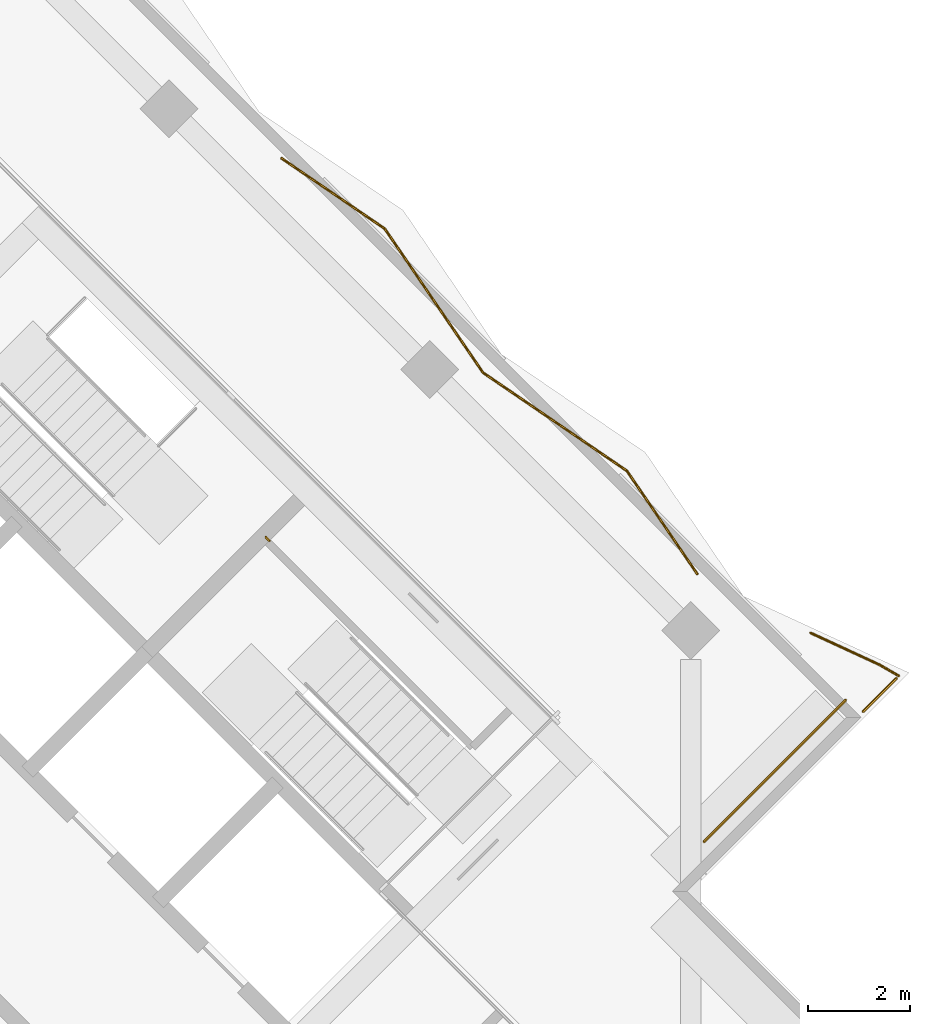
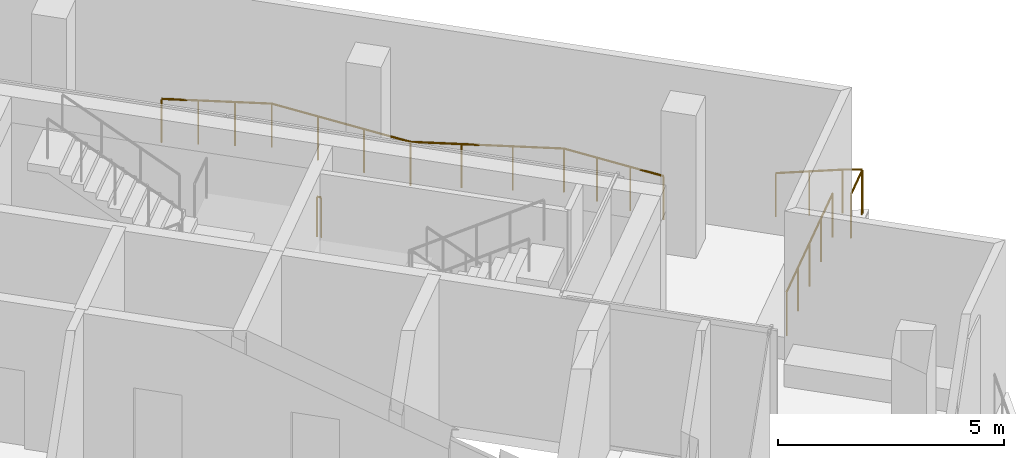
# One storey, part 19 of 19: 9 railings.
"""IFC4 building model written with IfcOpenShell, lengths in metres."""

from ifc_helpers import new_model, si_unit, direction, frame, origin, origin_2d, place, context, subcontext, project, spatial, circle, extrude, material, type_object, element, save


model = new_model("IFC4")

# Units and contexts
model_context = context("Model", 3, precision=1e-05, world=origin(), true_north=direction((0.0, 1.0)))
body_context = subcontext(model_context, "Body", "Model", "MODEL_VIEW")
ifc_project = project(units=[si_unit("LENGTHUNIT", "METRE"), si_unit("AREAUNIT", "SQUARE_METRE"), si_unit("VOLUMEUNIT", "CUBIC_METRE"), si_unit("PLANEANGLEUNIT", "RADIAN"), si_unit("MASSUNIT", "GRAM", prefix="KILO")], contexts=[model_context])

# Site, building, storey
site_placement = place(None, origin())
site = spatial("IfcSite", under=ifc_project, at=site_placement, CompositionType="ELEMENT")
building_placement = place(site_placement, origin())
building = spatial("IfcBuilding", under=site, at=building_placement, Name="Windrow Commons", CompositionType="ELEMENT")
storey_placement = place(building_placement, frame((0.0, 0.0, 230.4)))
storey = spatial("IfcBuildingStorey", under=building, at=storey_placement, Name="L63", CompositionType="ELEMENT", Elevation=230.4)

# Railings
ifc_material_1 = material(Name="Steel S355", Category="steel")
railing_type_1 = type_object("IfcRailingType", Name="Core stair guard 1100", PredefinedType="GUARDRAIL", material=ifc_material_1)
railing_1_placement = place(storey_placement, frame((91.3446, 53.3854, 2.1)))
element("IfcRailing", 1, at=railing_1_placement, inside=storey, type_object=railing_type_1, Name="L63 ST-B2 stair guard 3", PredefinedType="GUARDRAIL", context=body_context, shape_type="SweptSolid", body=[
    extrude(circle(Radius=0.024, at=origin_2d()), frame((0.0, 0.0, 1.076), z_axis=(-0.7076063266, 0.7066068826, 0.0), x_axis=(-0.7066068826, -0.7076063266, 0.0)), (0.0, 0.0, 1.0), 0.1001),
    extrude(circle(Radius=0.021, at=origin_2d()), origin(), (0.0, 0.0, 1.0), 1.052),
    extrude(circle(Radius=0.021, at=origin_2d()), frame((-0.0708, 0.0707, 0.0)), (0.0, 0.0, 1.0), 1.052),
])
ifc_material_2 = material(Name="Stainless steel S316 balustrade with toughened glass infill", Category="steel")
railing_type_2 = type_object("IfcRailingType", Name="Terrace guard 1200 podium", PredefinedType="BALUSTRADE", material=ifc_material_2)
railing_2_placement = place(storey_placement, frame((91.5785, 60.8503, 0.05)))
element("IfcRailing", 2, at=railing_2_placement, inside=storey, type_object=railing_type_2, Name="Guard TR-L63-1.E30", PredefinedType="BALUSTRADE", context=body_context, shape_type="SweptSolid", body=[
    extrude(circle(Radius=0.025, at=origin_2d()), frame((0.0, 0.0, 1.175), z_axis=(0.8258926437, -0.5638274036, 0.0), x_axis=(0.5638274036, 0.8258926437, 0.0)), (0.0, 0.0, 1.0), 2.441),
    extrude(circle(Radius=0.02, at=origin_2d()), origin(), (0.0, 0.0, 1.0), 1.15),
    extrude(circle(Radius=0.02, at=origin_2d()), frame((0.672, -0.4588, 0.0)), (0.0, 0.0, 1.0), 1.15),
    extrude(circle(Radius=0.02, at=origin_2d()), frame((1.344, -0.9175, 0.0)), (0.0, 0.0, 1.0), 1.15),
    extrude(circle(Radius=0.02, at=origin_2d()), frame((2.016, -1.3763, 0.0)), (0.0, 0.0, 1.0), 1.15),
])
railing_3_placement = place(storey_placement, frame((93.5945, 59.474, 0.05)))
element("IfcRailing", 3, at=railing_3_placement, inside=storey, type_object=railing_type_2, Name="Guard TR-L63-1.E31", PredefinedType="BALUSTRADE", context=body_context, shape_type="SweptSolid", body=[
    extrude(circle(Radius=0.025, at=origin_2d()), frame((0.0, 0.0, 1.175), z_axis=(0.5638295531, -0.8258911763, 0.0), x_axis=(0.8258911763, 0.5638295531, 0.0)), (0.0, 0.0, 1.0), 3.4),
    extrude(circle(Radius=0.02, at=origin_2d()), origin(), (0.0, 0.0, 1.0), 1.15),
    extrude(circle(Radius=0.02, at=origin_2d()), frame((0.639, -0.936, 0.0)), (0.0, 0.0, 1.0), 1.15),
    extrude(circle(Radius=0.02, at=origin_2d()), frame((1.278, -1.872, 0.0)), (0.0, 0.0, 1.0), 1.15),
    extrude(circle(Radius=0.02, at=origin_2d()), frame((1.917, -2.808, 0.0)), (0.0, 0.0, 1.0), 1.15),
])
railing_4_placement = place(storey_placement, frame((95.5115, 56.666, 0.05)))
element("IfcRailing", 4, at=railing_4_placement, inside=storey, type_object=railing_type_2, Name="Guard TR-L63-1.E32", PredefinedType="BALUSTRADE", context=body_context, shape_type="SweptSolid", body=[
    extrude(circle(Radius=0.025, at=origin_2d()), frame((0.0, 0.0, 1.175), z_axis=(0.8258911763, -0.5638295531, 0.0), x_axis=(0.5638295531, 0.8258911763, 0.0)), (0.0, 0.0, 1.0), 3.4),
    extrude(circle(Radius=0.02, at=origin_2d()), origin(), (0.0, 0.0, 1.0), 1.15),
    extrude(circle(Radius=0.02, at=origin_2d()), frame((0.936, -0.639, 0.0)), (0.0, 0.0, 1.0), 1.15),
    extrude(circle(Radius=0.02, at=origin_2d()), frame((1.872, -1.278, 0.0)), (0.0, 0.0, 1.0), 1.15),
    extrude(circle(Radius=0.02, at=origin_2d()), frame((2.808, -1.917, 0.0)), (0.0, 0.0, 1.0), 1.15),
])
railing_5_placement = place(storey_placement, frame((98.3195, 54.749, 0.05)))
element("IfcRailing", 5, at=railing_5_placement, inside=storey, type_object=railing_type_2, Name="Guard TR-L63-1.E33", PredefinedType="BALUSTRADE", context=body_context, shape_type="SweptSolid", body=[
    extrude(circle(Radius=0.025, at=origin_2d()), frame((0.0, 0.0, 1.175), z_axis=(0.5638389593, -0.8258847547, 0.0), x_axis=(0.8258847547, 0.5638389593, 0.0)), (0.0, 0.0, 1.0), 2.4404),
    extrude(circle(Radius=0.02, at=origin_2d()), origin(), (0.0, 0.0, 1.0), 1.15),
    extrude(circle(Radius=0.02, at=origin_2d()), frame((0.4587, -0.6718, 0.0)), (0.0, 0.0, 1.0), 1.15),
    extrude(circle(Radius=0.02, at=origin_2d()), frame((0.9173, -1.3437, 0.0)), (0.0, 0.0, 1.0), 1.15),
    extrude(circle(Radius=0.02, at=origin_2d()), frame((1.376, -2.0155, 0.0)), (0.0, 0.0, 1.0), 1.15),
])
railing_6_placement = place(storey_placement, frame((102.5913, 50.2779, 0.05)))
element("IfcRailing", 6, at=railing_6_placement, inside=storey, type_object=railing_type_2, Name="Guard TR-L63-1.E34", PredefinedType="BALUSTRADE", context=body_context, shape_type="SweptSolid", body=[
    extrude(circle(Radius=0.025, at=origin_2d()), frame((0.0, 0.0, 1.175), z_axis=(-0.7071067812, -0.7071067812, 0.0), x_axis=(0.7071067812, -0.7071067812, 0.0)), (0.0, 0.0, 1.0), 3.9155),
    extrude(circle(Radius=0.02, at=origin_2d()), origin(), (0.0, 0.0, 1.0), 1.15),
    extrude(circle(Radius=0.02, at=origin_2d()), frame((-0.6922, -0.6922, 0.0)), (0.0, 0.0, 1.0), 1.15),
    extrude(circle(Radius=0.02, at=origin_2d()), frame((-1.3844, -1.3844, 0.0)), (0.0, 0.0, 1.0), 1.15),
    extrude(circle(Radius=0.02, at=origin_2d()), frame((-2.0765, -2.0765, 0.0)), (0.0, 0.0, 1.0), 1.15),
    extrude(circle(Radius=0.02, at=origin_2d()), frame((-2.7687, -2.7687, 0.0)), (0.0, 0.0, 1.0), 1.15),
])
railing_7_placement = place(storey_placement, frame((101.9002, 51.5884, 0.05)))
element("IfcRailing", 7, at=railing_7_placement, inside=storey, type_object=railing_type_2, Name="Guard TR-L63-1.C202", PredefinedType="BALUSTRADE", context=body_context, shape_type="SweptSolid", body=[
    extrude(circle(Radius=0.025, at=origin_2d()), frame((0.0, 0.0, 1.175), z_axis=(0.9078685263, -0.4192549809, 0.0), x_axis=(0.4192549809, 0.9078685263, 0.0)), (0.0, 0.0, 1.0), 1.4822),
    extrude(circle(Radius=0.02, at=origin_2d()), origin(), (0.0, 0.0, 1.0), 1.15),
    extrude(circle(Radius=0.02, at=origin_2d()), frame((0.6728, -0.3107, 0.0)), (0.0, 0.0, 1.0), 1.15),
    extrude(circle(Radius=0.02, at=origin_2d()), frame((1.3456, -0.6214, 0.0)), (0.0, 0.0, 1.0), 1.15),
])
railing_8_placement = place(storey_placement, frame((103.2458, 50.967, 0.05)))
element("IfcRailing", 8, at=railing_8_placement, inside=storey, type_object=railing_type_2, Name="Guard TR-L63-1.C203", PredefinedType="BALUSTRADE", context=body_context, shape_type="SweptSolid", body=[
    extrude(circle(Radius=0.025, at=origin_2d()), frame((0.0, 0.0, 1.175), z_axis=(0.8668399492, -0.4985865045, 0.0), x_axis=(0.4985865045, 0.8668399492, 0.0)), (0.0, 0.0, 1.0), 0.4396),
    extrude(circle(Radius=0.02, at=origin_2d()), origin(), (0.0, 0.0, 1.0), 1.15),
    extrude(circle(Radius=0.02, at=origin_2d()), frame((0.3811, -0.2192, 0.0)), (0.0, 0.0, 1.0), 1.15),
])
railing_9_placement = place(storey_placement, frame((103.5829, 50.7039, 0.05)))
element("IfcRailing", 9, at=railing_9_placement, inside=storey, type_object=railing_type_2, Name="Guard TR-L63-1.C204", PredefinedType="BALUSTRADE", context=body_context, shape_type="SweptSolid", body=[
    extrude(circle(Radius=0.025, at=origin_2d()), frame((0.0, 0.0, 1.175), z_axis=(-0.7070527809, -0.7071607774, 0.0), x_axis=(0.7071607774, -0.7070527809, 0.0)), (0.0, 0.0, 1.0), 0.926),
    extrude(circle(Radius=0.02, at=origin_2d()), origin(), (0.0, 0.0, 1.0), 1.15),
    extrude(circle(Radius=0.02, at=origin_2d()), frame((-0.6547, -0.6548, 0.0)), (0.0, 0.0, 1.0), 1.15),
])

save(model, "model.ifc")
